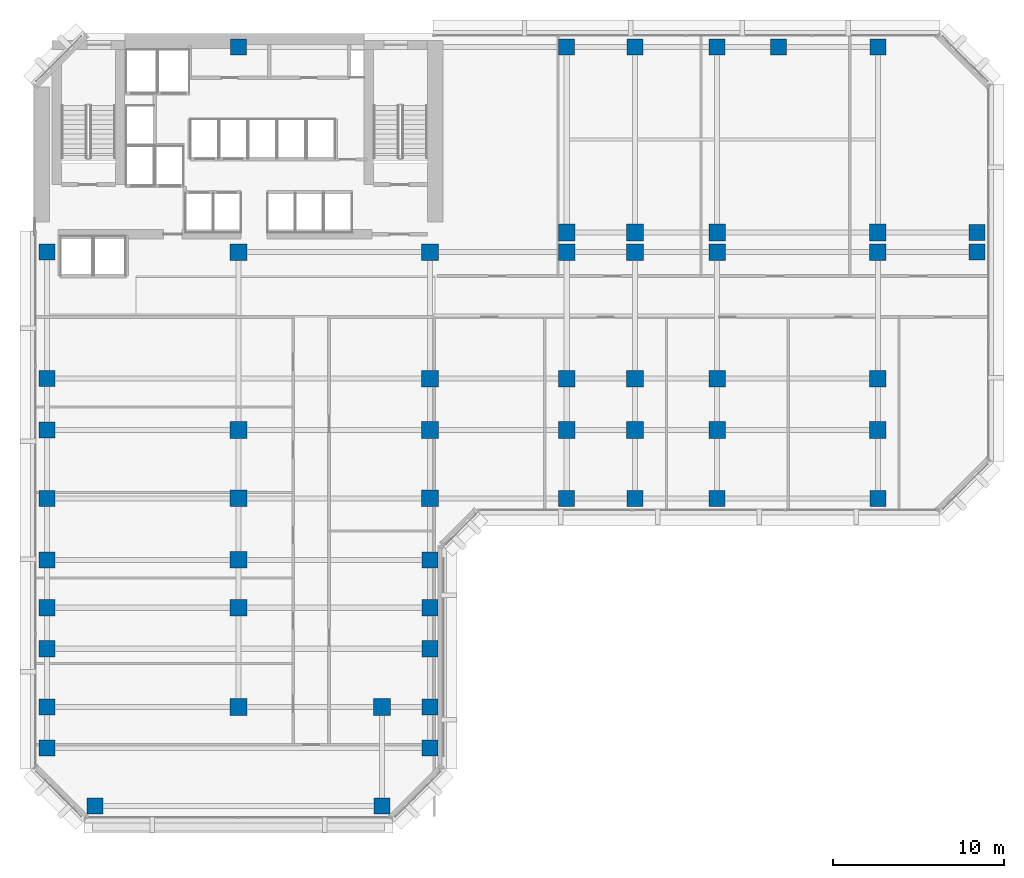
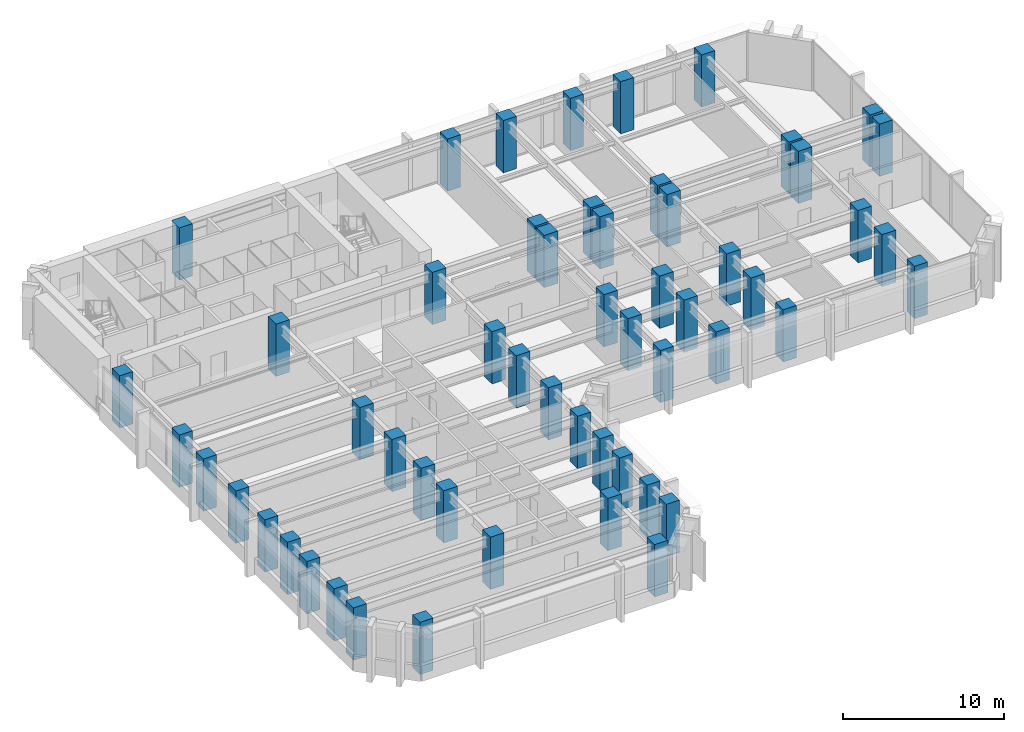
# One storey, part 1 of 13: 55 columns.
"""IFC4 building model written with IfcOpenShell, lengths in metres."""

from ifc_helpers import new_model, si_unit, direction, frame, origin, origin_2d, place, context, subcontext, project, spatial, rectangle, extrude, material, material_profile, profile_set, type_object, element, save


model = new_model("IFC4")

# Units and contexts
model_context = context("Model", 3, precision=1e-05, world=origin(), true_north=direction((0.0, 1.0)))
body_context = subcontext(model_context, "Body", "Model", "MODEL_VIEW")
ifc_project = project(units=[si_unit("LENGTHUNIT", "METRE"), si_unit("AREAUNIT", "SQUARE_METRE"), si_unit("VOLUMEUNIT", "CUBIC_METRE"), si_unit("PLANEANGLEUNIT", "RADIAN"), si_unit("MASSUNIT", "GRAM", prefix="KILO")], contexts=[model_context])

# Site, building, storey
site_placement = place(None, origin())
site = spatial("IfcSite", under=ifc_project, at=site_placement, CompositionType="ELEMENT")
building_placement = place(site_placement, origin())
building = spatial("IfcBuilding", under=site, at=building_placement, Name="Kefirva Bronze Tower", CompositionType="ELEMENT")
storey_placement = place(building_placement, frame((0.0, 0.0, 62.0400390625)))
storey = spatial("IfcBuildingStorey", under=building, at=storey_placement, Name="L14", CompositionType="ELEMENT", Elevation=62.0400390625)

# Columns
ifc_material = material(Name="Concrete C60/75", Category="concrete")
ifc_material_profile_1 = material_profile(ifc_material, rectangle(XDim=0.93994140625, YDim=0.93994140625, at=origin_2d()), Name="RC 940x940")
ifc_profile_set_1 = profile_set([ifc_material_profile_1], Name="Concrete C60/75")
column_type_1 = type_object("IfcColumnType", Name="RC Column 940x940 Ext", PredefinedType="COLUMN", material=ifc_profile_set_1)
for number, where, z_axis, x_axis, name in (
    (1, (0.800048828125, 4.199951171875, 0.0), (0.0, 0.0, 1.0), (1.0, 0.0, 0.0), "L14 Column C008_042"),
    (2, (0.800048828125, 6.60009765625, 0.0), (0.0, 0.0, 1.0), (1.0, 0.0, 0.0), "L14 Column C008_066"),
    (3, (0.800048828125, 10.0, 0.0), (0.0, 0.0, 1.0), (1.0, 0.0, 0.0), "L14 Column C008_100"),
    (4, (0.800048828125, 12.39990234375, 0.0), (0.0, 0.0, 1.0), (1.0, 0.0, 0.0), "L14 Column C008_124"),
    (5, (0.800048828125, 15.199951171875, 0.0), (0.0, 0.0, 1.0), (1.0, 0.0, 0.0), "L14 Column C008_152"),
    (6, (0.800048828125, 18.800048828125, 0.0), (0.0, 0.0, 1.0), (1.0, 0.0, 0.0), "L14 Column C008_188"),
    (7, (0.800048828125, 22.800048828125, 0.0), (0.0, 0.0, 1.0), (1.0, 0.0, 0.0), "L14 Column C008_228"),
    (8, (0.800048828125, 25.800048828125, 0.0), (0.0, 0.0, 1.0), (1.0, 0.0, 0.0), "L14 Column C008_258"),
    (9, (0.800048828125, 33.199951171875, 0.0), (0.0, 0.0, 1.0), (1.0, 0.0, 0.0), "L14 Column C008_332"),
    (10, (3.60009765625, 0.800048828125, 0.0), (0.0, 0.0, 1.0), (1.0, 0.0, 0.0), "L14 Column C036_008"),
    (11, (12.0, 45.199951171875, 0.0), (0.0, 0.0, 1.0), (1.0, 0.0, 0.0), "L14 Column C120_452"),
    (12, (20.39990234375, 0.800048828125, 0.0), (0.0, 0.0, 1.0), (1.0, 0.0, 0.0), "L14 Column C204_008"),
    (13, (23.199951171875, 4.199951171875, 0.0), (0.0, 0.0, 1.0), (1.0, 0.0, 0.0), "L14 Column C232_042"),
    (14, (23.199951171875, 6.60009765625, 0.0), (0.0, 0.0, 1.0), (1.0, 0.0, 0.0), "L14 Column C232_066"),
    (15, (23.199951171875, 10.0, 0.0), (0.0, 0.0, 1.0), (1.0, 0.0, 0.0), "L14 Column C232_100"),
    (16, (23.199951171875, 12.39990234375, 0.0), (0.0, 0.0, 1.0), (1.0, 0.0, 0.0), "L14 Column C232_124"),
    (17, (23.199951171875, 15.199951171875, 0.0), (0.0, 0.0, 1.0), (1.0, 0.0, 0.0), "L14 Column C232_152"),
    (18, (31.199951171875, 18.800048828125, 0.0), (0.0, 0.0, 1.0), (1.0, 0.0, 0.0), "L14 Column C312_188"),
    (19, (31.199951171875, 45.199951171875, 0.0), (0.0, 0.0, 1.0), (1.0, 0.0, 0.0), "L14 Column C312_452"),
    (20, (35.199951171875, 18.800048828125, 0.0), (0.0, 0.0, 1.0), (1.0, 0.0, 0.0), "L14 Column C352_188"),
    (21, (35.199951171875, 45.199951171875, 0.0), (0.0, 0.0, 1.0), (1.0, 0.0, 0.0), "L14 Column C352_452"),
    (22, (40.0, 18.800048828125, 0.0), (0.0, 0.0, 1.0), (1.0, 0.0, 0.0), "L14 Column C400_188"),
    (23, (40.0, 45.199951171875, 0.0), (0.0, 0.0, 1.0), (1.0, 0.0, 0.0), "L14 Column C400_452"),
    (24, (43.60009765625, 45.199951171875, 0.0), (0.0, 0.0, 1.0), (1.0, 0.0, 0.0), "L14 Column C436_452"),
    (25, (49.39990234375, 18.800048828125, 0.0), (0.0, 0.0, 1.0), (1.0, 0.0, 0.0), "L14 Column C494_188"),
    (26, (49.39990234375, 45.199951171875, 0.0), (0.0, 0.0, 1.0), (1.0, 0.0, 0.0), "L14 Column C494_452"),
    (27, (55.199951171875, 33.199951171875, 0.0), (0.0, 0.0, 1.0), (1.0, 0.0, 0.0), "L14 Column C552_332"),
    (28, (55.199951171875, 34.35009765625, 0.0), (0.0, 0.0, 1.0), (1.0, 0.0, 0.0), "L14 Column C552_344"),
):
    element("IfcColumn", number, at=place(storey_placement, frame(where, z_axis=z_axis, x_axis=x_axis)), inside=storey, type_object=column_type_1, Name=name, PredefinedType="COLUMN", context=body_context, shape_type="SweptSolid", body=[
        extrude(rectangle(XDim=0.93994140625, YDim=0.93994140625, at=origin_2d()), origin(), (0.0, 0.0, 1.0), 3.9599609375),
    ])
ifc_material_profile_2 = material_profile(ifc_material, rectangle(XDim=0.97998046875, YDim=0.97998046875, at=origin_2d()), Name="RC 980x980")
ifc_profile_set_2 = profile_set([ifc_material_profile_2], Name="Concrete C60/75")
column_type_2 = type_object("IfcColumnType", Name="RC Column 980x980 Int", PredefinedType="COLUMN", material=ifc_profile_set_2)
for number, where, z_axis, x_axis, name in (
    (29, (12.0, 6.60009765625, 0.0), (0.0, 0.0, 1.0), (1.0, 0.0, 0.0), "L14 Column C120_066"),
    (30, (12.0, 12.39990234375, 0.0), (0.0, 0.0, 1.0), (1.0, 0.0, 0.0), "L14 Column C120_124"),
    (31, (12.0, 15.199951171875, 0.0), (0.0, 0.0, 1.0), (1.0, 0.0, 0.0), "L14 Column C120_152"),
    (32, (12.0, 18.800048828125, 0.0), (0.0, 0.0, 1.0), (1.0, 0.0, 0.0), "L14 Column C120_188"),
    (33, (12.0, 22.800048828125, 0.0), (0.0, 0.0, 1.0), (1.0, 0.0, 0.0), "L14 Column C120_228"),
    (34, (12.0, 33.199951171875, 0.0), (0.0, 0.0, 1.0), (1.0, 0.0, 0.0), "L14 Column C120_332"),
    (35, (20.39990234375, 6.60009765625, 0.0), (0.0, 0.0, 1.0), (1.0, 0.0, 0.0), "L14 Column C204_066"),
    (36, (23.199951171875, 18.800048828125, 0.0), (0.0, 0.0, 1.0), (1.0, 0.0, 0.0), "L14 Column C232_188"),
    (37, (23.199951171875, 22.800048828125, 0.0), (0.0, 0.0, 1.0), (1.0, 0.0, 0.0), "L14 Column C232_228"),
    (38, (23.199951171875, 25.800048828125, 0.0), (0.0, 0.0, 1.0), (1.0, 0.0, 0.0), "L14 Column C232_258"),
    (39, (23.199951171875, 33.199951171875, 0.0), (0.0, 0.0, 1.0), (1.0, 0.0, 0.0), "L14 Column C232_332"),
    (40, (31.199951171875, 22.800048828125, 0.0), (0.0, 0.0, 1.0), (1.0, 0.0, 0.0), "L14 Column C312_228"),
    (41, (31.199951171875, 25.800048828125, 0.0), (0.0, 0.0, 1.0), (1.0, 0.0, 0.0), "L14 Column C312_258"),
    (42, (31.199951171875, 33.199951171875, 0.0), (0.0, 0.0, 1.0), (1.0, 0.0, 0.0), "L14 Column C312_332"),
    (43, (31.199951171875, 34.35009765625, 0.0), (0.0, 0.0, 1.0), (1.0, 0.0, 0.0), "L14 Column C312_344"),
    (44, (35.199951171875, 22.800048828125, 0.0), (0.0, 0.0, 1.0), (1.0, 0.0, 0.0), "L14 Column C352_228"),
    (45, (35.199951171875, 25.800048828125, 0.0), (0.0, 0.0, 1.0), (1.0, 0.0, 0.0), "L14 Column C352_258"),
    (46, (35.199951171875, 33.199951171875, 0.0), (0.0, 0.0, 1.0), (1.0, 0.0, 0.0), "L14 Column C352_332"),
    (47, (35.199951171875, 34.35009765625, 0.0), (0.0, 0.0, 1.0), (1.0, 0.0, 0.0), "L14 Column C352_344"),
    (48, (40.0, 22.800048828125, 0.0), (0.0, 0.0, 1.0), (1.0, 0.0, 0.0), "L14 Column C400_228"),
    (49, (40.0, 25.800048828125, 0.0), (0.0, 0.0, 1.0), (1.0, 0.0, 0.0), "L14 Column C400_258"),
    (50, (40.0, 33.199951171875, 0.0), (0.0, 0.0, 1.0), (1.0, 0.0, 0.0), "L14 Column C400_332"),
    (51, (40.0, 34.35009765625, 0.0), (0.0, 0.0, 1.0), (1.0, 0.0, 0.0), "L14 Column C400_344"),
    (52, (49.39990234375, 22.800048828125, 0.0), (0.0, 0.0, 1.0), (1.0, 0.0, 0.0), "L14 Column C494_228"),
    (53, (49.39990234375, 25.800048828125, 0.0), (0.0, 0.0, 1.0), (1.0, 0.0, 0.0), "L14 Column C494_258"),
    (54, (49.39990234375, 33.199951171875, 0.0), (0.0, 0.0, 1.0), (1.0, 0.0, 0.0), "L14 Column C494_332"),
    (55, (49.39990234375, 34.35009765625, 0.0), (0.0, 0.0, 1.0), (1.0, 0.0, 0.0), "L14 Column C494_344"),
):
    element("IfcColumn", number, at=place(storey_placement, frame(where, z_axis=z_axis, x_axis=x_axis)), inside=storey, type_object=column_type_2, Name=name, PredefinedType="COLUMN", context=body_context, shape_type="SweptSolid", body=[
        extrude(rectangle(XDim=0.97998046875, YDim=0.97998046875, at=origin_2d()), origin(), (0.0, 0.0, 1.0), 3.9599609375),
    ])

save(model, "model.ifc")
